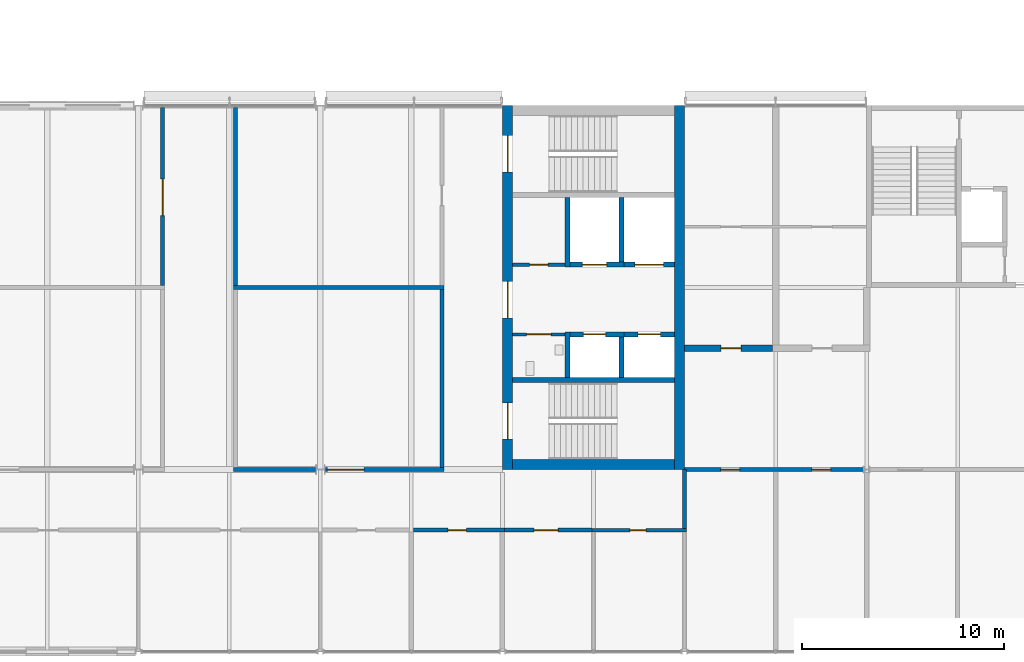
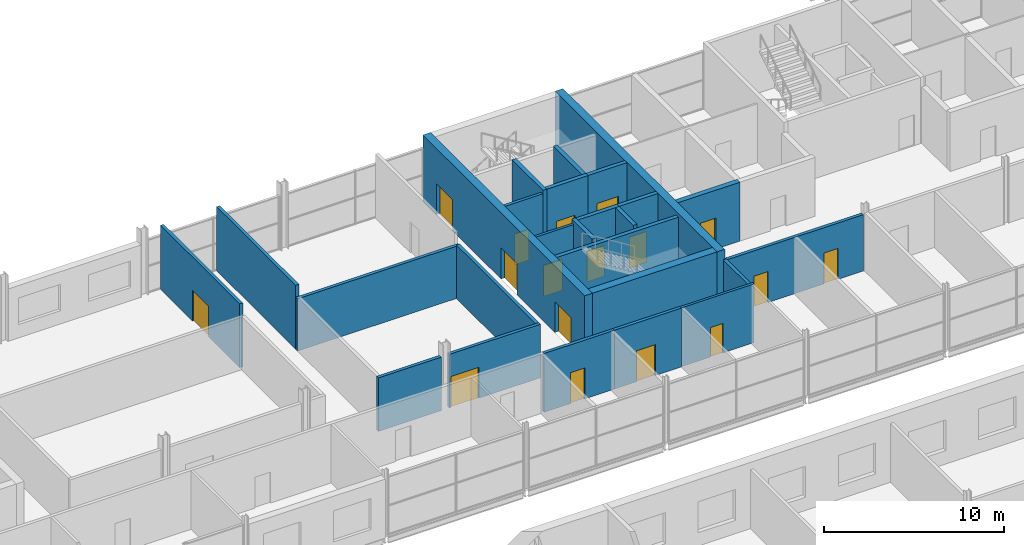
# One storey, part 74 of 97: 26 walls, 17 doors, 17 openings.
"""IFC4 building model written with IfcOpenShell, lengths in metres."""

from ifc_helpers import new_model, si_unit, direction, frame, frame_2d, origin, place, context, subcontext, project, spatial, rectangle, extrude, material, layer, layer_set, type_object, element, fill, save


model = new_model("IFC4")

# Units and contexts
model_context = context("Model", 3, precision=1e-05, world=origin(), true_north=direction((0.0, 1.0)))
body_context = subcontext(model_context, "Body", "Model", "MODEL_VIEW")
ifc_project = project(units=[si_unit("LENGTHUNIT", "METRE"), si_unit("AREAUNIT", "SQUARE_METRE"), si_unit("VOLUMEUNIT", "CUBIC_METRE"), si_unit("PLANEANGLEUNIT", "RADIAN"), si_unit("MASSUNIT", "GRAM", prefix="KILO")], contexts=[model_context])

# Site, building, storey
site_placement = place(None, origin())
site = spatial("IfcSite", under=ifc_project, at=site_placement, CompositionType="ELEMENT")
building_placement = place(site_placement, origin())
building = spatial("IfcBuilding", under=site, at=building_placement, Name="Corbel Yard City Hall", CompositionType="ELEMENT")
storey_placement = place(building_placement, frame((0.0, 0.0, 6.0)))
storey = spatial("IfcBuildingStorey", under=building, at=storey_placement, Name="L01", CompositionType="ELEMENT", Elevation=6.0)

# Walls
ifc_material_1 = material(Name="Concrete N40 (40 MPa)", Category="concrete")
ifc_layer_1 = layer(ifc_material_1, 0.25)
ifc_layer_set_1 = layer_set([ifc_layer_1], Name="Concrete N40 (40 MPa)")
wall_type_1 = type_object("IfcWallType", Name="IW2", PredefinedType="SOLIDWALL", material=ifc_layer_set_1)
wall_1_placement = place(storey_placement, frame((45.5, 103.425048828125, 0.0), z_axis=(0.0, 0.0, 1.0), x_axis=(1.0, 0.0, 0.0)))
element("IfcWall", 1, at=wall_1_placement, inside=storey, type_object=wall_type_1, Name="Stair enclosure wall", PredefinedType="SOLIDWALL", context=body_context, shape_type="SweptSolid", body=[
    extrude(rectangle(XDim=8.0, YDim=0.25, at=frame_2d((4.0, 0.0))), origin(), (0.0, 0.0, 1.0), 4.25),
])
wall_2_placement = place(storey_placement, frame((48.22509765625, 103.550048828125, 0.0), z_axis=(0.0, 0.0, 1.0), x_axis=(0.0, 1.0, 0.0)))
element("IfcWall", 2, at=wall_2_placement, inside=storey, type_object=wall_type_1, Name="Lift LP25 shaft wall", PredefinedType="SOLIDWALL", context=body_context, shape_type="SweptSolid", body=[
    extrude(rectangle(XDim=2.25, YDim=0.25, at=frame_2d((1.125, 0.0))), origin(), (0.0, 0.0, 1.0), 4.5),
])
wall_3_placement = place(storey_placement, frame((50.875, 103.550048828125, 0.0), z_axis=(0.0, 0.0, 1.0), x_axis=(0.0, 1.0, 0.0)))
element("IfcWall", 3, at=wall_3_placement, inside=storey, type_object=wall_type_1, Name="Lift LP25 shaft wall", PredefinedType="SOLIDWALL", context=body_context, shape_type="SweptSolid", body=[
    extrude(rectangle(XDim=2.0, YDim=0.25, at=frame_2d((1.0, 0.0))), origin(), (0.0, 0.0, 1.0), 4.5),
])

# Wall, opening, door
wall_4_placement = place(storey_placement, frame((48.35009765625, 105.675048828125, 0.0), z_axis=(0.0, 0.0, 1.0), x_axis=(1.0, 0.0, 0.0)))
wall_4 = element("IfcWall", 4, at=wall_4_placement, inside=storey, type_object=wall_type_1, Name="Lift LP25 shaft wall", PredefinedType="SOLIDWALL", context=body_context, shape_type="SweptSolid", body=[
    extrude(rectangle(XDim=2.64990234375, YDim=0.25, at=frame_2d((1.324951171875, 0.0))), origin(), (0.0, 0.0, 1.0), 4.5),
])
opening_1_placement = place(wall_4_placement, frame((0.64990234375, 0.0, 0.0)))
opening_1 = element("IfcOpeningElement", 5, at=opening_1_placement, cuts=wall_4, Name="Opening L01-226", PredefinedType="OPENING", context=body_context, shape_type="SweptSolid", body=[
    extrude(rectangle(XDim=1.10009765625, YDim=2.10009765625, at=frame_2d((0.550048828125, 1.050048828125))), frame((0.0, 0.135009765625, 0.0), z_axis=(0.0, -1.0, 0.0), x_axis=(1.0, 0.0, 0.0)), (0.0, 0.0, 1.0), 0.27001953125),
])
ifc_material_2 = material(Name="Stainless steel Grade 316", Category="steel")
door_type_1 = type_object("IfcDoorType", Name="LD1", OperationType="DOUBLE_DOOR_SLIDING", PredefinedType="DOOR", material=ifc_material_2)
door_1_placement = place(opening_1_placement, origin())
door_1 = element("IfcDoor", 6, at=door_1_placement, inside=storey, type_object=door_type_1, Name="Lift LP25 landing door", OperationType="DOUBLE_DOOR_SLIDING", OverallHeight=2.10009765625, OverallWidth=1.10009765625, PredefinedType="DOOR", context=body_context, shape_type="SweptSolid", body=[
    extrude(rectangle(XDim=1.10009765625, YDim=2.10009765625, at=frame_2d((0.550048828125, 1.050048828125))), frame((0.0, 0.02490234375, 0.0), z_axis=(0.0, -1.0, 0.0), x_axis=(1.0, 0.0, 0.0)), (0.0, 0.0, 1.0), 0.050048828125),
])
fill(opening_1, door_1)

wall_5_placement = place(storey_placement, frame((51.0, 105.675048828125, 0.0), z_axis=(0.0, 0.0, 1.0), x_axis=(1.0, 0.0, 0.0)))
wall_5 = element("IfcWall", 7, at=wall_5_placement, inside=storey, type_object=wall_type_1, Name="Lift LP26 shaft wall", PredefinedType="SOLIDWALL", context=body_context, shape_type="SweptSolid", body=[
    extrude(rectangle(XDim=2.5, YDim=0.25, at=frame_2d((1.25, 0.0))), origin(), (0.0, 0.0, 1.0), 4.5),
])
opening_2_placement = place(wall_5_placement, frame((0.699951171875, 0.0, 0.0)))
opening_2 = element("IfcOpeningElement", 8, at=opening_2_placement, cuts=wall_5, Name="Opening L01-227", PredefinedType="OPENING", context=body_context, shape_type="SweptSolid", body=[
    extrude(rectangle(XDim=1.10009765625, YDim=2.10009765625, at=frame_2d((0.550048828125, 1.050048828125))), frame((0.0, 0.135009765625, 0.0), z_axis=(0.0, -1.0, 0.0), x_axis=(1.0, 0.0, 0.0)), (0.0, 0.0, 1.0), 0.27001953125),
])
door_2_placement = place(opening_2_placement, origin())
door_2 = element("IfcDoor", 9, at=door_2_placement, inside=storey, type_object=door_type_1, Name="Lift LP26 landing door", OperationType="DOUBLE_DOOR_SLIDING", OverallHeight=2.10009765625, OverallWidth=1.10009765625, PredefinedType="DOOR", context=body_context, shape_type="SweptSolid", body=[
    extrude(rectangle(XDim=1.10009765625, YDim=2.10009765625, at=frame_2d((0.550048828125, 1.050048828125))), frame((0.0, 0.02490234375, 0.0), z_axis=(0.0, -1.0, 0.0), x_axis=(1.0, 0.0, 0.0)), (0.0, 0.0, 1.0), 0.050048828125),
])
fill(opening_2, door_2)

# Walls
wall_6_placement = place(storey_placement, frame((48.22509765625, 109.0, 0.0), z_axis=(0.0, 0.0, 1.0), x_axis=(0.0, 1.0, 0.0)))
element("IfcWall", 10, at=wall_6_placement, inside=storey, type_object=wall_type_1, Name="Lift LF2 shaft wall", PredefinedType="SOLIDWALL", context=body_context, shape_type="SweptSolid", body=[
    extrude(rectangle(XDim=3.449951171875, YDim=0.25, at=frame_2d((1.72509765625, 0.0))), origin(), (0.0, 0.0, 1.0), 4.5),
])
wall_7_placement = place(storey_placement, frame((50.875, 109.25, 0.0), z_axis=(0.0, 0.0, 1.0), x_axis=(0.0, 1.0, 0.0)))
element("IfcWall", 11, at=wall_7_placement, inside=storey, type_object=wall_type_1, Name="Lift LF2 shaft wall", PredefinedType="SOLIDWALL", context=body_context, shape_type="SweptSolid", body=[
    extrude(rectangle(XDim=3.199951171875, YDim=0.25, at=frame_2d((1.60009765625, 0.0))), origin(), (0.0, 0.0, 1.0), 4.5),
])

# Wall, opening, door
wall_8_placement = place(storey_placement, frame((48.35009765625, 109.125, 0.0), z_axis=(0.0, 0.0, 1.0), x_axis=(1.0, 0.0, 0.0)))
wall_8 = element("IfcWall", 12, at=wall_8_placement, inside=storey, type_object=wall_type_1, Name="Lift LF2 shaft wall", PredefinedType="SOLIDWALL", context=body_context, shape_type="SweptSolid", body=[
    extrude(rectangle(XDim=2.64990234375, YDim=0.25, at=frame_2d((1.324951171875, 0.0))), origin(), (0.0, 0.0, 1.0), 4.5),
])
opening_3_placement = place(wall_8_placement, frame((0.60009765625, 0.0, 0.0)))
opening_3 = element("IfcOpeningElement", 13, at=opening_3_placement, cuts=wall_8, Name="Opening L01-228", PredefinedType="OPENING", context=body_context, shape_type="SweptSolid", body=[
    extrude(rectangle(XDim=1.199951171875, YDim=2.10009765625, at=frame_2d((0.60009765625, 1.050048828125))), frame((0.0, 0.135009765625, 0.0), z_axis=(0.0, -1.0, 0.0), x_axis=(1.0, 0.0, 0.0)), (0.0, 0.0, 1.0), 0.27001953125),
])
door_type_2 = type_object("IfcDoorType", Name="LD2", OperationType="DOUBLE_DOOR_SLIDING", PredefinedType="DOOR", material=ifc_material_2)
door_3_placement = place(opening_3_placement, origin())
door_3 = element("IfcDoor", 14, at=door_3_placement, inside=storey, type_object=door_type_2, Name="Lift LF2 landing door", OperationType="DOUBLE_DOOR_SLIDING", OverallHeight=2.10009765625, OverallWidth=1.199951171875, PredefinedType="DOOR", context=body_context, shape_type="SweptSolid", body=[
    extrude(rectangle(XDim=1.199951171875, YDim=2.10009765625, at=frame_2d((0.60009765625, 1.050048828125))), frame((0.0, 0.02490234375, 0.0), z_axis=(0.0, -1.0, 0.0), x_axis=(1.0, 0.0, 0.0)), (0.0, 0.0, 1.0), 0.050048828125),
])
fill(opening_3, door_3)

wall_9_placement = place(storey_placement, frame((51.0, 109.125, 0.0), z_axis=(0.0, 0.0, 1.0), x_axis=(1.0, 0.0, 0.0)))
wall_9 = element("IfcWall", 15, at=wall_9_placement, inside=storey, type_object=wall_type_1, Name="Lift LG1 shaft wall", PredefinedType="SOLIDWALL", context=body_context, shape_type="SweptSolid", body=[
    extrude(rectangle(XDim=2.5, YDim=0.25, at=frame_2d((1.25, 0.0))), origin(), (0.0, 0.0, 1.0), 4.5),
])
opening_4_placement = place(wall_9_placement, frame((0.550048828125, 0.0, 0.0)))
opening_4 = element("IfcOpeningElement", 16, at=opening_4_placement, cuts=wall_9, Name="Opening L01-229", PredefinedType="OPENING", context=body_context, shape_type="SweptSolid", body=[
    extrude(rectangle(XDim=1.39990234375, YDim=2.39990234375, at=frame_2d((0.699951171875, 1.199951171875))), frame((0.0, 0.135009765625, 0.0), z_axis=(0.0, -1.0, 0.0), x_axis=(1.0, 0.0, 0.0)), (0.0, 0.0, 1.0), 0.27001953125),
])
door_type_3 = type_object("IfcDoorType", Name="LD3", OperationType="DOUBLE_DOOR_SLIDING", PredefinedType="DOOR", material=ifc_material_2)
door_4_placement = place(opening_4_placement, origin())
door_4 = element("IfcDoor", 17, at=door_4_placement, inside=storey, type_object=door_type_3, Name="Lift LG1 landing door", OperationType="DOUBLE_DOOR_SLIDING", OverallHeight=2.39990234375, OverallWidth=1.39990234375, PredefinedType="DOOR", context=body_context, shape_type="SweptSolid", body=[
    extrude(rectangle(XDim=1.39990234375, YDim=2.39990234375, at=frame_2d((0.699951171875, 1.199951171875))), frame((0.0, 0.02490234375, 0.0), z_axis=(0.0, -1.0, 0.0), x_axis=(1.0, 0.0, 0.0)), (0.0, 0.0, 1.0), 0.050048828125),
])
fill(opening_4, door_4)

ifc_material_3 = material(Name="Gypsum plasterboard", Category="gypsum")
ifc_layer_2 = layer(ifc_material_3, 0.031982421875)
ifc_material_4 = material(Name="Steel Grade G550 (550 MPa yield)", Category="steel")
ifc_layer_3 = layer(ifc_material_4, 0.135986328125)
ifc_layer_4 = layer(ifc_material_3, 0.031982421875)
ifc_layer_set_2 = layer_set([ifc_layer_2, ifc_layer_3, ifc_layer_4], Name="Steel Grade G550 (550 MPa yield)")
wall_type_2 = type_object("IfcWallType", Name="PT2", PredefinedType="PARTITIONING", material=ifc_layer_set_2)
wall_10_placement = place(storey_placement, frame((40.610107421875, 96.0, 0.0), z_axis=(0.0, 0.0, 1.0), x_axis=(1.0, 0.0, 0.0)))
wall_10 = element("IfcWall", 18, at=wall_10_placement, inside=storey, type_object=wall_type_2, Name="Acoustic wall", PredefinedType="PARTITIONING", context=body_context, shape_type="SweptSolid", body=[
    extrude(rectangle(XDim=4.5, YDim=0.199951171875, at=frame_2d((2.25, 0.0))), origin(), (0.0, 0.0, 1.0), 3.993896484375),
])
opening_5_placement = place(wall_10_placement, frame((1.68994140625, 0.0, 0.0)))
opening_5 = element("IfcOpeningElement", 19, at=opening_5_placement, cuts=wall_10, Name="Opening L01-170", PredefinedType="OPENING", context=body_context, shape_type="SweptSolid", body=[
    extrude(rectangle(XDim=0.919921875, YDim=2.10009765625, at=frame_2d((0.4599609375, 1.050048828125))), frame((0.0, 0.10986328125, 0.0), z_axis=(0.0, -1.0, 0.0), x_axis=(1.0, 0.0, 0.0)), (0.0, 0.0, 1.0), 0.219970703125),
])
ifc_material_5 = material(Name="Timber", Category="wood")
door_type_4 = type_object("IfcDoorType", Name="D5", OperationType="SINGLE_SWING_RIGHT", PredefinedType="DOOR", material=ifc_material_5)
door_5_placement = place(opening_5_placement, frame((0.919921875, 0.0, 0.0), z_axis=(0.0, 0.0, 1.0), x_axis=(-1.0, 0.0, 0.0)))
door_5 = element("IfcDoor", 20, at=door_5_placement, inside=storey, type_object=door_type_4, Name="Door Men's WC", OperationType="SINGLE_SWING_RIGHT", OverallHeight=2.10009765625, OverallWidth=0.919921875, PredefinedType="DOOR", context=body_context, shape_type="SweptSolid", body=[
    extrude(rectangle(XDim=0.919921875, YDim=2.10009765625, at=frame_2d((0.4599609375, 1.050048828125))), frame((0.0, 0.02490234375, 0.0), z_axis=(0.0, -1.0, 0.0), x_axis=(1.0, 0.0, 0.0)), (0.0, 0.0, 1.0), 0.050048828125),
])
fill(opening_5, door_5)

wall_11_placement = place(storey_placement, frame((45.110107421875, 96.0, 0.0), z_axis=(0.0, 0.0, 1.0), x_axis=(1.0, 0.0, 0.0)))
wall_11 = element("IfcWall", 21, at=wall_11_placement, inside=storey, type_object=wall_type_2, Name="Acoustic wall", PredefinedType="PARTITIONING", context=body_context, shape_type="SweptSolid", body=[
    extrude(rectangle(XDim=4.309814453125, YDim=0.199951171875, at=frame_2d((2.15478515625, 0.0))), origin(), (0.0, 0.0, 1.0), 3.990966796875),
])
opening_6_placement = place(wall_11_placement, frame((1.43994140625, 0.0, 0.0)))
opening_6 = element("IfcOpeningElement", 22, at=opening_6_placement, cuts=wall_11, Name="Opening L01-171", PredefinedType="OPENING", context=body_context, shape_type="SweptSolid", body=[
    extrude(rectangle(XDim=1.199951171875, YDim=2.10009765625, at=frame_2d((0.60009765625, 1.050048828125))), frame((0.0, 0.10986328125, 0.0), z_axis=(0.0, -1.0, 0.0), x_axis=(1.0, 0.0, 0.0)), (0.0, 0.0, 1.0), 0.219970703125),
])
door_type_5 = type_object("IfcDoorType", Name="D7", OperationType="SINGLE_SWING_LEFT", PredefinedType="DOOR", material=ifc_material_5)
door_6_placement = place(opening_6_placement, frame((1.199951171875, 0.0, 0.0), z_axis=(0.0, 0.0, 1.0), x_axis=(-1.0, 0.0, 0.0)))
door_6 = element("IfcDoor", 23, at=door_6_placement, inside=storey, type_object=door_type_5, Name="Door Accessible WC", OperationType="SINGLE_SWING_RIGHT", OverallHeight=2.10009765625, OverallWidth=1.199951171875, PredefinedType="DOOR", context=body_context, shape_type="SweptSolid", body=[
    extrude(rectangle(XDim=1.199951171875, YDim=2.10009765625, at=frame_2d((0.60009765625, 1.050048828125))), frame((0.0, 0.02490234375, 0.0), z_axis=(0.0, -1.0, 0.0), x_axis=(1.0, 0.0, 0.0)), (0.0, 0.0, 1.0), 0.050048828125),
])
fill(opening_6, door_6)

# Wall
wall_12_placement = place(storey_placement, frame((31.699951171875, 99.0, 0.0), z_axis=(0.0, 0.0, 1.0), x_axis=(1.0, 0.0, 0.0)))
element("IfcWall", 24, at=wall_12_placement, inside=storey, type_object=wall_type_2, Name="Acoustic wall", PredefinedType="PARTITIONING", context=body_context, shape_type="SweptSolid", body=[
    extrude(rectangle(XDim=4.050048828125, YDim=0.199951171875, at=frame_2d((2.02490234375, 0.0))), origin(), (0.0, 0.0, 1.0), 3.639892578125),
])

# Wall, opening, door
wall_13_placement = place(storey_placement, frame((36.25, 99.0, 0.0), z_axis=(0.0, 0.0, 1.0), x_axis=(1.0, 0.0, 0.0)))
wall_13 = element("IfcWall", 25, at=wall_13_placement, inside=storey, type_object=wall_type_2, Name="Acoustic wall", PredefinedType="PARTITIONING", context=body_context, shape_type="SweptSolid", body=[
    extrude(rectangle(XDim=5.85009765625, YDim=0.199951171875, at=frame_2d((2.925048828125, 0.0))), origin(), (0.0, 0.0, 1.0), 3.639892578125),
])
opening_7_placement = place(wall_13_placement, frame((0.10009765625, 0.0, 0.0)))
opening_7 = element("IfcOpeningElement", 26, at=opening_7_placement, cuts=wall_13, Name="Opening L01-175", PredefinedType="OPENING", context=body_context, shape_type="SweptSolid", body=[
    extrude(rectangle(XDim=1.800048828125, YDim=2.10009765625, at=frame_2d((0.89990234375, 1.050048828125))), frame((0.0, 0.10986328125, 0.0), z_axis=(0.0, -1.0, 0.0), x_axis=(1.0, 0.0, 0.0)), (0.0, 0.0, 1.0), 0.219970703125),
])
door_type_6 = type_object("IfcDoorType", Name="D3", OperationType="DOUBLE_DOOR_SINGLE_SWING", PredefinedType="DOOR", material=ifc_material_5)
door_7_placement = place(opening_7_placement, origin())
door_7 = element("IfcDoor", 27, at=door_7_placement, inside=storey, type_object=door_type_6, Name="Door Tower Training Room 3", OperationType="DOUBLE_DOOR_SINGLE_SWING", OverallHeight=2.10009765625, OverallWidth=1.800048828125, PredefinedType="DOOR", context=body_context, shape_type="SweptSolid", body=[
    extrude(rectangle(XDim=1.800048828125, YDim=2.10009765625, at=frame_2d((0.89990234375, 1.050048828125))), frame((0.0, 0.02490234375, 0.0), z_axis=(0.0, -1.0, 0.0), x_axis=(1.0, 0.0, 0.0)), (0.0, 0.0, 1.0), 0.050048828125),
])
fill(opening_7, door_7)

# Wall, openings, doors
wall_14_placement = place(storey_placement, frame((54.0, 99.0, 0.0), z_axis=(0.0, 0.0, 1.0), x_axis=(1.0, 0.0, 0.0)))
wall_14 = element("IfcWall", 28, at=wall_14_placement, inside=storey, type_object=wall_type_2, Name="Acoustic wall", PredefinedType="PARTITIONING", context=body_context, shape_type="SweptSolid", body=[
    extrude(rectangle(XDim=8.842529296875, YDim=0.199951171875, at=frame_2d((4.42138671875, 0.0))), origin(), (0.0, 0.0, 1.0), 3.822021484375),
])
opening_8_placement = place(wall_14_placement, frame((1.800048828125, 0.0, 0.0)))
opening_8 = element("IfcOpeningElement", 29, at=opening_8_placement, cuts=wall_14, Name="Opening L01-177", PredefinedType="OPENING", context=body_context, shape_type="SweptSolid", body=[
    extrude(rectangle(XDim=0.919921875, YDim=2.10009765625, at=frame_2d((0.4599609375, 1.050048828125))), frame((0.0, 0.10986328125, 0.0), z_axis=(0.0, -1.0, 0.0), x_axis=(1.0, 0.0, 0.0)), (0.0, 0.0, 1.0), 0.219970703125),
])
opening_9_placement = place(wall_14_placement, frame((6.300048828125, 0.0, 0.0)))
opening_9 = element("IfcOpeningElement", 30, at=opening_9_placement, cuts=wall_14, Name="Opening L01-178", PredefinedType="OPENING", context=body_context, shape_type="SweptSolid", body=[
    extrude(rectangle(XDim=0.919921875, YDim=2.10009765625, at=frame_2d((0.4599609375, 1.050048828125))), frame((0.0, 0.10986328125, 0.0), z_axis=(0.0, -1.0, 0.0), x_axis=(1.0, 0.0, 0.0)), (0.0, 0.0, 1.0), 0.219970703125),
])
door_8_placement = place(opening_8_placement, frame((0.919921875, 0.0, 0.0), z_axis=(0.0, 0.0, 1.0), x_axis=(-1.0, 0.0, 0.0)))
door_8 = element("IfcDoor", 31, at=door_8_placement, inside=storey, type_object=door_type_4, Name="Door Women's WC", OperationType="SINGLE_SWING_RIGHT", OverallHeight=2.10009765625, OverallWidth=0.919921875, PredefinedType="DOOR", context=body_context, shape_type="SweptSolid", body=[
    extrude(rectangle(XDim=0.919921875, YDim=2.10009765625, at=frame_2d((0.4599609375, 1.050048828125))), frame((0.0, 0.02490234375, 0.0), z_axis=(0.0, -1.0, 0.0), x_axis=(1.0, 0.0, 0.0)), (0.0, 0.0, 1.0), 0.050048828125),
])
fill(opening_8, door_8)
door_9_placement = place(opening_9_placement, frame((0.919921875, 0.0, 0.0), z_axis=(0.0, 0.0, 1.0), x_axis=(-1.0, 0.0, 0.0)))
door_9 = element("IfcDoor", 32, at=door_9_placement, inside=storey, type_object=door_type_4, Name="Door Men's WC", OperationType="SINGLE_SWING_RIGHT", OverallHeight=2.10009765625, OverallWidth=0.919921875, PredefinedType="DOOR", context=body_context, shape_type="SweptSolid", body=[
    extrude(rectangle(XDim=0.919921875, YDim=2.10009765625, at=frame_2d((0.4599609375, 1.050048828125))), frame((0.0, 0.02490234375, 0.0), z_axis=(0.0, -1.0, 0.0), x_axis=(1.0, 0.0, 0.0)), (0.0, 0.0, 1.0), 0.050048828125),
])
fill(opening_9, door_9)

# Wall
wall_15_placement = place(storey_placement, frame((31.699951171875, 108.0, 0.0), z_axis=(0.0, 0.0, 1.0), x_axis=(1.0, 0.0, 0.0)))
element("IfcWall", 33, at=wall_15_placement, inside=storey, type_object=wall_type_2, Name="Acoustic wall", PredefinedType="PARTITIONING", context=body_context, shape_type="SweptSolid", body=[
    extrude(rectangle(XDim=10.400146484375, YDim=0.199951171875, at=frame_2d((5.2001953125, 0.0))), origin(), (0.0, 0.0, 1.0), 3.550048828125),
])

# Wall, opening, door
wall_16_placement = place(storey_placement, frame((28.199951171875, 108.10009765625, 0.0), z_axis=(0.0, 0.0, 1.0), x_axis=(0.0, 1.0, 0.0)))
wall_16 = element("IfcWall", 34, at=wall_16_placement, inside=storey, type_object=wall_type_2, Name="Acoustic wall", PredefinedType="PARTITIONING", context=body_context, shape_type="SweptSolid", body=[
    extrude(rectangle(XDim=8.7998046875, YDim=0.199951171875, at=frame_2d((4.39990234375, 0.0))), origin(), (0.0, 0.0, 1.0), 4.35009765625),
])
opening_10_placement = place(wall_16_placement, frame((3.449951171875, 0.0, 0.0)))
opening_10 = element("IfcOpeningElement", 35, at=opening_10_placement, cuts=wall_16, Name="Opening L01-174", PredefinedType="OPENING", context=body_context, shape_type="SweptSolid", body=[
    extrude(rectangle(XDim=1.800048828125, YDim=2.10009765625, at=frame_2d((0.89990234375, 1.050048828125))), frame((0.0, 0.10986328125, 0.0), z_axis=(0.0, -1.0, 0.0), x_axis=(1.0, 0.0, 0.0)), (0.0, 0.0, 1.0), 0.219970703125),
])
door_10_placement = place(opening_10_placement, origin())
door_10 = element("IfcDoor", 36, at=door_10_placement, inside=storey, type_object=door_type_6, Name="Door Tower Training Room 2", OperationType="DOUBLE_DOOR_SINGLE_SWING", OverallHeight=2.10009765625, OverallWidth=1.800048828125, PredefinedType="DOOR", context=body_context, shape_type="SweptSolid", body=[
    extrude(rectangle(XDim=1.800048828125, YDim=2.10009765625, at=frame_2d((0.89990234375, 1.050048828125))), frame((0.0, 0.02490234375, 0.0), z_axis=(0.0, -1.0, 0.0), x_axis=(1.0, 0.0, 0.0)), (0.0, 0.0, 1.0), 0.050048828125),
])
fill(opening_10, door_10)

# Walls
wall_17_placement = place(storey_placement, frame((31.800048828125, 108.10009765625, 0.0), z_axis=(0.0, 0.0, 1.0), x_axis=(0.0, 1.0, 0.0)))
element("IfcWall", 37, at=wall_17_placement, inside=storey, type_object=wall_type_2, Name="Acoustic wall", PredefinedType="PARTITIONING", context=body_context, shape_type="SweptSolid", body=[
    extrude(rectangle(XDim=8.7998046875, YDim=0.199951171875, at=frame_2d((4.39990234375, 0.0))), origin(), (0.0, 0.0, 1.0), 4.35009765625),
])
wall_18_placement = place(storey_placement, frame((42.0, 99.10009765625, 0.0), z_axis=(0.0, 0.0, 1.0), x_axis=(0.0, 1.0, 0.0)))
element("IfcWall", 38, at=wall_18_placement, inside=storey, type_object=wall_type_2, Name="Acoustic wall", PredefinedType="PARTITIONING", context=body_context, shape_type="SweptSolid", body=[
    extrude(rectangle(XDim=8.7998046875, YDim=0.199951171875, at=frame_2d((4.39990234375, 0.0))), origin(), (0.0, 0.0, 1.0), 3.639892578125),
])
wall_19_placement = place(storey_placement, frame((54.0, 96.080078125, 0.0), z_axis=(0.0, 0.0, 1.0), x_axis=(0.0, 1.0, 0.0)))
element("IfcWall", 39, at=wall_19_placement, inside=storey, type_object=wall_type_2, Name="Acoustic wall", PredefinedType="PARTITIONING", context=body_context, shape_type="SweptSolid", body=[
    extrude(rectangle(XDim=2.919921875, YDim=0.199951171875, at=frame_2d((1.4599609375, 0.0))), origin(), (0.0, 0.0, 1.0), 3.822021484375),
])

# Wall, opening, door
ifc_layer_5 = layer(ifc_material_3, 0.031982421875)
ifc_layer_6 = layer(ifc_material_4, 0.260986328125)
ifc_layer_7 = layer(ifc_material_3, 0.031982421875)
ifc_layer_set_3 = layer_set([ifc_layer_5, ifc_layer_6, ifc_layer_7], Name="Steel Grade G550 (550 MPa yield)")
wall_type_3 = type_object("IfcWallType", Name="PT20", PredefinedType="PARTITIONING", material=ifc_layer_set_3)
wall_20_placement = place(storey_placement, frame((54.0, 105.0, 0.0), z_axis=(0.0, 0.0, 1.0), x_axis=(1.0, 0.0, 0.0)))
wall_20 = element("IfcWall", 40, at=wall_20_placement, inside=storey, type_object=wall_type_3, Name="Acoustic partition", PredefinedType="PARTITIONING", context=body_context, shape_type="SweptSolid", body=[
    extrude(rectangle(XDim=4.33740234375, YDim=0.324951171875, at=frame_2d((2.168701171875, 0.0))), origin(), (0.0, 0.0, 1.0), 3.998046875),
])
opening_11_placement = place(wall_20_placement, frame((1.800048828125, 0.0, 0.0)))
opening_11 = element("IfcOpeningElement", 41, at=opening_11_placement, cuts=wall_20, Name="Opening L01-186", PredefinedType="OPENING", context=body_context, shape_type="SweptSolid", body=[
    extrude(rectangle(XDim=1.0, YDim=2.10009765625, at=frame_2d((0.5, 1.050048828125))), frame((0.0, 0.17236328125, 0.0), z_axis=(0.0, -1.0, 0.0), x_axis=(1.0, 0.0, 0.0)), (0.0, 0.0, 1.0), 0.344970703125),
])
door_type_7 = type_object("IfcDoorType", Name="D1", OperationType="SINGLE_SWING_LEFT", PredefinedType="DOOR", material=ifc_material_5)
door_11_placement = place(opening_11_placement, origin())
door_11 = element("IfcDoor", 42, at=door_11_placement, inside=storey, type_object=door_type_7, Name="Door Councillor's Assistant Room 01", OperationType="SINGLE_SWING_RIGHT", OverallHeight=2.10009765625, OverallWidth=1.0, PredefinedType="DOOR", context=body_context, shape_type="SweptSolid", body=[
    extrude(rectangle(XDim=1.0, YDim=2.10009765625, at=frame_2d((0.5, 1.050048828125))), frame((0.0, 0.02490234375, 0.0), z_axis=(0.0, -1.0, 0.0), x_axis=(1.0, 0.0, 0.0)), (0.0, 0.0, 1.0), 0.050048828125),
])
fill(opening_11, door_11)

ifc_layer_8 = layer(ifc_material_3, 0.031982421875)
ifc_layer_9 = layer(ifc_material_4, 0.095947265625)
ifc_layer_10 = layer(ifc_material_3, 0.031982421875)
ifc_layer_set_4 = layer_set([ifc_layer_8, ifc_layer_9, ifc_layer_10], Name="Steel Grade G550 (550 MPa yield)")
wall_type_4 = type_object("IfcWallType", Name="PT3", PredefinedType="PARTITIONING", material=ifc_layer_set_4)
wall_21_placement = place(storey_placement, frame((49.419921875, 96.0, 0.0), z_axis=(0.0, 0.0, 1.0), x_axis=(1.0, 0.0, 0.0)))
wall_21 = element("IfcWall", 43, at=wall_21_placement, inside=storey, type_object=wall_type_4, Name="Fire-resisting wall", PredefinedType="PARTITIONING", context=body_context, shape_type="SweptSolid", body=[
    extrude(rectangle(XDim=4.68017578125, YDim=0.159912109375, at=frame_2d((2.340087890625, 0.0))), origin(), (0.0, 0.0, 1.0), 3.990966796875),
])
opening_12_placement = place(wall_21_placement, frame((1.8798828125, 0.0, 0.0)))
opening_12 = element("IfcOpeningElement", 44, at=opening_12_placement, cuts=wall_21, Name="Opening L01-172", PredefinedType="OPENING", context=body_context, shape_type="SweptSolid", body=[
    extrude(rectangle(XDim=0.800048828125, YDim=2.0, at=frame_2d((0.39990234375, 1.0))), frame((0.0, 0.08984375, 0.0), z_axis=(0.0, -1.0, 0.0), x_axis=(1.0, 0.0, 0.0)), (0.0, 0.0, 1.0), 0.179931640625),
])
ifc_material_6 = material(Name="Steel Grade G250", Category="steel")
door_type_8 = type_object("IfcDoorType", Name="FD31", OperationType="SINGLE_SWING_LEFT", PredefinedType="DOOR", material=ifc_material_6)
door_12_placement = place(opening_12_placement, frame((0.800048828125, 0.0, 0.0), z_axis=(0.0, 0.0, 1.0), x_axis=(-1.0, 0.0, 0.0)))
door_12 = element("IfcDoor", 45, at=door_12_placement, inside=storey, type_object=door_type_8, Name="Door Cleaners' Store", OperationType="SINGLE_SWING_RIGHT", OverallHeight=2.0, OverallWidth=0.800048828125, PredefinedType="DOOR", context=body_context, shape_type="SweptSolid", body=[
    extrude(rectangle(XDim=0.800048828125, YDim=2.0, at=frame_2d((0.39990234375, 1.0))), frame((0.0, 0.02490234375, 0.0), z_axis=(0.0, -1.0, 0.0), x_axis=(1.0, 0.0, 0.0)), (0.0, 0.0, 1.0), 0.050048828125),
])
fill(opening_12, door_12)

wall_22_placement = place(storey_placement, frame((45.5, 105.675048828125, 0.0), z_axis=(0.0, 0.0, 1.0), x_axis=(1.0, 0.0, 0.0)))
wall_22 = element("IfcWall", 46, at=wall_22_placement, inside=storey, type_object=wall_type_4, Name="Accessible WC wall", PredefinedType="PARTITIONING", context=body_context, shape_type="SweptSolid", body=[
    extrude(rectangle(XDim=2.60009765625, YDim=0.159912109375, at=frame_2d((1.300048828125, 0.0))), origin(), (0.0, 0.0, 1.0), 4.25),
])
opening_13_placement = place(wall_22_placement, frame((0.699951171875, 0.0, 0.0)))
opening_13 = element("IfcOpeningElement", 47, at=opening_13_placement, cuts=wall_22, Name="Opening L01-238", PredefinedType="OPENING", context=body_context, shape_type="SweptSolid", body=[
    extrude(rectangle(XDim=1.199951171875, YDim=2.10009765625, at=frame_2d((0.60009765625, 1.050048828125))), frame((0.0, 0.08984375, 0.0), z_axis=(0.0, -1.0, 0.0), x_axis=(1.0, 0.0, 0.0)), (0.0, 0.0, 1.0), 0.179931640625),
])
door_type_9 = type_object("IfcDoorType", Name="FD7", OperationType="SINGLE_SWING_LEFT", PredefinedType="DOOR", material=ifc_material_6)
door_13_placement = place(opening_13_placement, frame((1.199951171875, 0.0, 0.0), z_axis=(0.0, 0.0, 1.0), x_axis=(-1.0, 0.0, 0.0)))
door_13 = element("IfcDoor", 48, at=door_13_placement, inside=storey, type_object=door_type_9, Name="Door accessible WC East", OperationType="SINGLE_SWING_RIGHT", OverallHeight=2.10009765625, OverallWidth=1.199951171875, PredefinedType="DOOR", context=body_context, shape_type="SweptSolid", body=[
    extrude(rectangle(XDim=1.199951171875, YDim=2.10009765625, at=frame_2d((0.60009765625, 1.050048828125))), frame((0.0, 0.02490234375, 0.0), z_axis=(0.0, -1.0, 0.0), x_axis=(1.0, 0.0, 0.0)), (0.0, 0.0, 1.0), 0.050048828125),
])
fill(opening_13, door_13)

ifc_material_7 = material(Name="Concrete block", Category="concrete")
ifc_layer_11 = layer(ifc_material_7, 0.18994140625)
ifc_layer_set_5 = layer_set([ifc_layer_11], Name="Concrete block")
wall_type_5 = type_object("IfcWallType", Name="PT4", PredefinedType="PARTITIONING", material=ifc_layer_set_5)
wall_23_placement = place(storey_placement, frame((45.5, 109.125, 0.0), z_axis=(0.0, 0.0, 1.0), x_axis=(1.0, 0.0, 0.0)))
wall_23 = element("IfcWall", 49, at=wall_23_placement, inside=storey, type_object=wall_type_5, Name="Riser wall", PredefinedType="PARTITIONING", context=body_context, shape_type="SweptSolid", body=[
    extrude(rectangle(XDim=2.60009765625, YDim=0.18994140625, at=frame_2d((1.300048828125, 0.0))), origin(), (0.0, 0.0, 1.0), 4.25),
])
opening_14_placement = place(wall_23_placement, frame((0.840087890625, 0.0, 0.0)))
opening_14 = element("IfcOpeningElement", 50, at=opening_14_placement, cuts=wall_23, Name="Opening L01-239", PredefinedType="OPENING", context=body_context, shape_type="SweptSolid", body=[
    extrude(rectangle(XDim=0.919921875, YDim=2.10009765625, at=frame_2d((0.4599609375, 1.050048828125))), frame((0.0, 0.10498046875, 0.0), z_axis=(0.0, -1.0, 0.0), x_axis=(1.0, 0.0, 0.0)), (0.0, 0.0, 1.0), 0.2099609375),
])
door_type_10 = type_object("IfcDoorType", Name="FS4", OperationType="SINGLE_SWING_LEFT", PredefinedType="DOOR", material=ifc_material_6)
door_14_placement = place(opening_14_placement, origin())
door_14 = element("IfcDoor", 51, at=door_14_placement, inside=storey, type_object=door_type_10, Name="Door riser East", OperationType="SINGLE_SWING_LEFT", OverallHeight=2.10009765625, OverallWidth=0.919921875, PredefinedType="DOOR", context=body_context, shape_type="SweptSolid", body=[
    extrude(rectangle(XDim=0.919921875, YDim=2.10009765625, at=frame_2d((0.4599609375, 1.050048828125))), frame((0.0, 0.02490234375, 0.0), z_axis=(0.0, -1.0, 0.0), x_axis=(1.0, 0.0, 0.0)), (0.0, 0.0, 1.0), 0.050048828125),
])
fill(opening_14, door_14)

# Wall, openings, doors
ifc_material_8 = material(Name="Concrete N50 (50 MPa)", Category="concrete")
ifc_layer_12 = layer(ifc_material_8, 0.5)
ifc_layer_set_6 = layer_set([ifc_layer_12], Name="Concrete N50 (50 MPa)")
wall_type_6 = type_object("IfcWallType", Name="Trunk wall 500", PredefinedType="SHEAR", material=ifc_layer_set_6)
wall_24_placement = place(storey_placement, frame((45.25, 99.0, 0.0), z_axis=(0.0, 0.0, 1.0), x_axis=(0.0, 1.0, 0.0)))
wall_24 = element("IfcWall", 52, at=wall_24_placement, inside=storey, type_object=wall_type_6, Name="Trunk E west wall", PredefinedType="SHEAR", context=body_context, shape_type="SweptSolid", body=[
    extrude(rectangle(XDim=18.0, YDim=0.5, at=frame_2d((9.0, 0.0))), origin(), (0.0, 0.0, 1.0), 4.5),
])
opening_15_placement = place(wall_24_placement, frame((1.5, 0.0, 0.0)))
opening_15 = element("IfcOpeningElement", 53, at=opening_15_placement, cuts=wall_24, Name="Opening L01-235", PredefinedType="OPENING", context=body_context, shape_type="SweptSolid", body=[
    extrude(rectangle(XDim=1.800048828125, YDim=2.10009765625, at=frame_2d((0.89990234375, 1.050048828125))), frame((0.0, 0.260009765625, 0.0), z_axis=(0.0, -1.0, 0.0), x_axis=(1.0, 0.0, 0.0)), (0.0, 0.0, 1.0), 0.52001953125),
])
opening_16_placement = place(wall_24_placement, frame((14.699951171875, 0.0, 0.0)))
opening_16 = element("IfcOpeningElement", 54, at=opening_16_placement, cuts=wall_24, Name="Opening L01-236", PredefinedType="OPENING", context=body_context, shape_type="SweptSolid", body=[
    extrude(rectangle(XDim=1.800048828125, YDim=2.10009765625, at=frame_2d((0.89990234375, 1.050048828125))), frame((0.0, 0.260009765625, 0.0), z_axis=(0.0, -1.0, 0.0), x_axis=(1.0, 0.0, 0.0)), (0.0, 0.0, 1.0), 0.52001953125),
])
opening_17_placement = place(wall_24_placement, frame((7.5, 0.0, 0.0)))
opening_17 = element("IfcOpeningElement", 55, at=opening_17_placement, cuts=wall_24, Name="Opening L01-237", PredefinedType="OPENING", context=body_context, shape_type="SweptSolid", body=[
    extrude(rectangle(XDim=1.800048828125, YDim=2.10009765625, at=frame_2d((0.89990234375, 1.050048828125))), frame((0.0, 0.260009765625, 0.0), z_axis=(0.0, -1.0, 0.0), x_axis=(1.0, 0.0, 0.0)), (0.0, 0.0, 1.0), 0.52001953125),
])
door_type_11 = type_object("IfcDoorType", Name="FS3", OperationType="DOUBLE_DOOR_SINGLE_SWING", PredefinedType="DOOR", material=ifc_material_6)
door_15_placement = place(opening_15_placement, origin())
door_15 = element("IfcDoor", 56, at=door_15_placement, inside=storey, type_object=door_type_11, Name="Door ST-E1", OperationType="DOUBLE_DOOR_SINGLE_SWING", OverallHeight=2.10009765625, OverallWidth=1.800048828125, PredefinedType="DOOR", context=body_context, shape_type="SweptSolid", body=[
    extrude(rectangle(XDim=1.800048828125, YDim=2.10009765625, at=frame_2d((0.89990234375, 1.050048828125))), frame((0.0, 0.02490234375, 0.0), z_axis=(0.0, -1.0, 0.0), x_axis=(1.0, 0.0, 0.0)), (0.0, 0.0, 1.0), 0.050048828125),
])
fill(opening_15, door_15)
door_16_placement = place(opening_16_placement, origin())
door_16 = element("IfcDoor", 57, at=door_16_placement, inside=storey, type_object=door_type_11, Name="Door ST-E2", OperationType="DOUBLE_DOOR_SINGLE_SWING", OverallHeight=2.10009765625, OverallWidth=1.800048828125, PredefinedType="DOOR", context=body_context, shape_type="SweptSolid", body=[
    extrude(rectangle(XDim=1.800048828125, YDim=2.10009765625, at=frame_2d((0.89990234375, 1.050048828125))), frame((0.0, 0.02490234375, 0.0), z_axis=(0.0, -1.0, 0.0), x_axis=(1.0, 0.0, 0.0)), (0.0, 0.0, 1.0), 0.050048828125),
])
fill(opening_16, door_16)
door_17_placement = place(opening_17_placement, origin())
door_17 = element("IfcDoor", 58, at=door_17_placement, inside=storey, type_object=door_type_11, Name="Door lift lobby East", OperationType="DOUBLE_DOOR_SINGLE_SWING", OverallHeight=2.10009765625, OverallWidth=1.800048828125, PredefinedType="DOOR", context=body_context, shape_type="SweptSolid", body=[
    extrude(rectangle(XDim=1.800048828125, YDim=2.10009765625, at=frame_2d((0.89990234375, 1.050048828125))), frame((0.0, 0.02490234375, 0.0), z_axis=(0.0, -1.0, 0.0), x_axis=(1.0, 0.0, 0.0)), (0.0, 0.0, 1.0), 0.050048828125),
])
fill(opening_17, door_17)

# Walls
wall_25_placement = place(storey_placement, frame((53.75, 99.0, 0.0), z_axis=(0.0, 0.0, 1.0), x_axis=(0.0, 1.0, 0.0)))
element("IfcWall", 59, at=wall_25_placement, inside=storey, type_object=wall_type_6, Name="Trunk E east wall", PredefinedType="SHEAR", context=body_context, shape_type="SweptSolid", body=[
    extrude(rectangle(XDim=18.0, YDim=0.5, at=frame_2d((9.0, 0.0))), origin(), (0.0, 0.0, 1.0), 4.5),
])
wall_26_placement = place(storey_placement, frame((45.5, 99.25, 0.0), z_axis=(0.0, 0.0, 1.0), x_axis=(1.0, 0.0, 0.0)))
element("IfcWall", 60, at=wall_26_placement, inside=storey, type_object=wall_type_6, Name="Trunk E south wall", PredefinedType="SHEAR", context=body_context, shape_type="SweptSolid", body=[
    extrude(rectangle(XDim=8.0, YDim=0.5, at=frame_2d((4.0, 0.0))), origin(), (0.0, 0.0, 1.0), 4.5),
])

save(model, "model.ifc")
